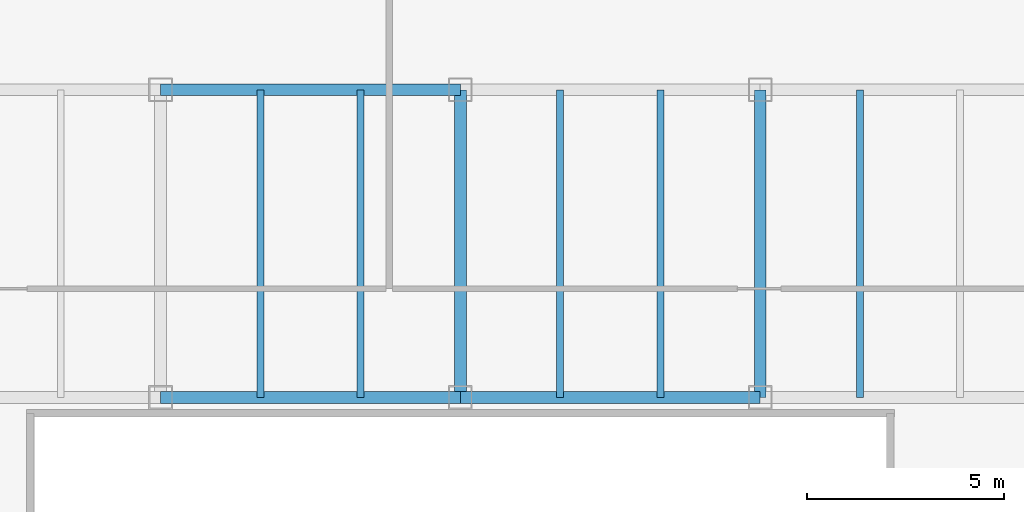
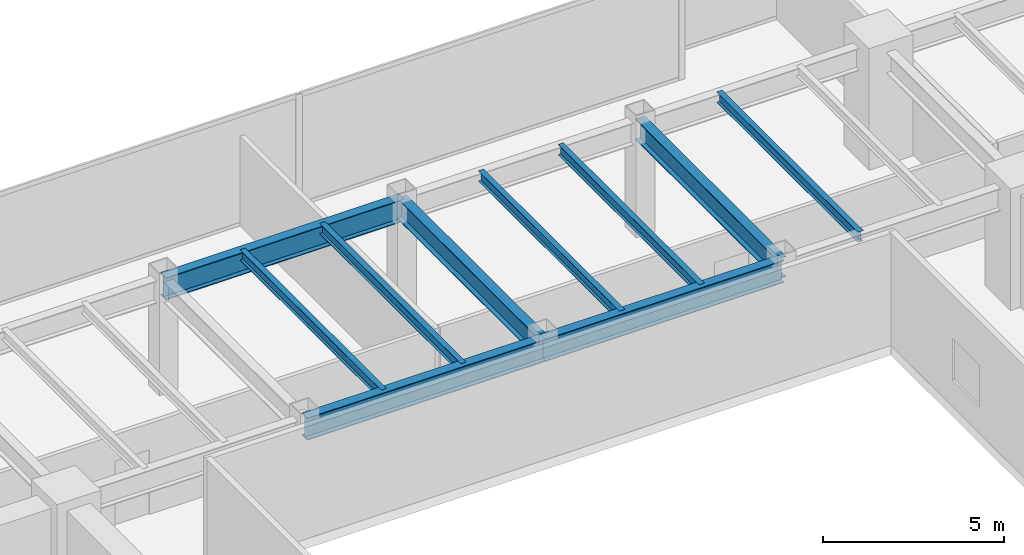
# One storey, part 17 of 35: 10 beams.
"""IFC4 building model written with IfcOpenShell, lengths in metres."""

from ifc_helpers import new_model, si_unit, direction, frame, origin, origin_2d, place, context, subcontext, project, spatial, i_section, extrude, source, transform, mapped, material, material_profile, profile_set, type_object, type_shapes, element, save


model = new_model("IFC4")

# Units and contexts
model_context = context("Model", 3, precision=1e-05, world=origin(), true_north=direction((0.0, 1.0)))
body_context = subcontext(model_context, "Body", "Model", "MODEL_VIEW")
ifc_project = project(units=[si_unit("LENGTHUNIT", "METRE"), si_unit("AREAUNIT", "SQUARE_METRE"), si_unit("VOLUMEUNIT", "CUBIC_METRE"), si_unit("PLANEANGLEUNIT", "RADIAN"), si_unit("MASSUNIT", "GRAM", prefix="KILO")], contexts=[model_context])

# Site, building, storey
site_placement = place(None, origin())
site = spatial("IfcSite", under=ifc_project, at=site_placement, CompositionType="ELEMENT")
building_placement = place(site_placement, origin())
building = spatial("IfcBuilding", under=site, at=building_placement, Name="Haelvirn Gate Laboratories", CompositionType="ELEMENT")
storey_placement = place(building_placement, frame((0.0, 0.0, 58.0)))
storey = spatial("IfcBuildingStorey", under=building, at=storey_placement, Name="L14", CompositionType="ELEMENT", Elevation=58.0)

# Beams
ifc_material = material(Name="Steel SM355", Category="steel")
ifc_material_profile_1 = material_profile(ifc_material, i_section(OverallWidth=0.300048828125, OverallDepth=0.699951171875, WebThickness=0.012939453125, FlangeThickness=0.02392578125, at=origin_2d()), Name="H-700x300x13x24")
ifc_profile_set_1 = profile_set([ifc_material_profile_1], Name="Steel SM355")
beam_type_1 = type_object("IfcBeamType", Name="BM-G-700", PredefinedType="BEAM", material=ifc_profile_set_1)
shared_shape_1 = source(origin(), body_context, "Body", "SweptSolid", [
    extrude(i_section(OverallWidth=0.300048828125, OverallDepth=0.699951171875, WebThickness=0.012939453125, FlangeThickness=0.02392578125, at=origin_2d()), origin(), (0.0, 0.0, 1.0), 7.800048828125),
])
type_shapes(beam_type_1, [shared_shape_1])
for number, where, z_axis, x_axis, name in (
    (1, (37.39990234375, 33.800048828125, 3.429931640625), (0.0, 1.0, 0.0), (-1.0, 0.0, 0.0), "L14 Frame Girder X37.4 (33.8-41.6)"),
    (2, (45.0, 33.800048828125, 3.429931640625), (0.0, 1.0, 0.0), (-1.0, 0.0, 0.0), "L14 Frame Girder X45.0 (33.8-41.6)"),
):
    element("IfcBeam", number, at=place(storey_placement, frame(where, z_axis=z_axis, x_axis=x_axis)), inside=storey, type_object=beam_type_1, Name=name, PredefinedType="BEAM", context=body_context, shape_type="MappedRepresentation", body=[
        mapped(shared_shape_1, transform((0.0, 0.0, 0.0), scale=1.0)),
    ])
ifc_material_profile_2 = material_profile(ifc_material, i_section(OverallWidth=0.300048828125, OverallDepth=0.75, WebThickness=0.013916015625, FlangeThickness=0.02392578125, at=origin_2d()), Name="H-750x300x14x24")
ifc_profile_set_2 = profile_set([ifc_material_profile_2], Name="Steel SM355")
beam_type_2 = type_object("IfcBeamType", Name="BM-G-750", PredefinedType="BEAM", material=ifc_profile_set_2)
shared_shape_2 = source(origin(), body_context, "Body", "SweptSolid", [
    extrude(i_section(OverallWidth=0.300048828125, OverallDepth=0.75, WebThickness=0.013916015625, FlangeThickness=0.02392578125, at=origin_2d()), origin(), (0.0, 0.0, 1.0), 7.60009765625),
])
beam_placement = place(storey_placement, frame((37.39990234375, 33.800048828125, 3.405029296875), z_axis=(1.0, 0.0, 0.0), x_axis=(0.0, 1.0, 0.0)))
element("IfcBeam", 3, at=beam_placement, inside=storey, type_object=beam_type_2, Name="L14 Primary Girder Y33.8 (37.4-45.0)", PredefinedType="BEAM", context=body_context, shape_type="MappedRepresentation", body=[
    mapped(shared_shape_2, transform((0.0, 0.0, 0.0), scale=1.0)),
])
shared_shape_3 = source(origin(), body_context, "Body", "SweptSolid", [
    extrude(i_section(OverallWidth=0.300048828125, OverallDepth=0.75, WebThickness=0.013916015625, FlangeThickness=0.02392578125, at=origin_2d()), origin(), (0.0, 0.0, 1.0), 7.599853515625),
])
type_shapes(beam_type_2, [shared_shape_2, shared_shape_3])
for number, where, z_axis, x_axis, name in (
    (4, (29.800048828125, 33.800048828125, 3.405029296875), (1.0, 0.0, 0.0), (0.0, 1.0, 0.0), "L14 Primary Girder Y33.8 (29.8-37.4)"),
    (5, (29.800048828125, 41.60009765625, 3.405029296875), (1.0, 0.0, 0.0), (0.0, 1.0, 0.0), "L14 Primary Girder Y41.6 (29.8-37.4)"),
):
    element("IfcBeam", number, at=place(storey_placement, frame(where, z_axis=z_axis, x_axis=x_axis)), inside=storey, type_object=beam_type_2, Name=name, PredefinedType="BEAM", context=body_context, shape_type="MappedRepresentation", body=[
        mapped(shared_shape_3, transform((0.0, 0.0, 0.0), scale=1.0)),
    ])
ifc_material_profile_3 = material_profile(ifc_material, i_section(OverallWidth=0.175048828125, OverallDepth=0.35009765625, WebThickness=0.007080078125, FlangeThickness=0.010986328125, at=origin_2d()), Name="H-350x175x7x11")
ifc_profile_set_3 = profile_set([ifc_material_profile_3], Name="Steel SM355")
beam_type_3 = type_object("IfcBeamType", Name="BM-J-350", PredefinedType="JOIST", material=ifc_profile_set_3)
shared_shape_4 = source(origin(), body_context, "Body", "SweptSolid", [
    extrude(i_section(OverallWidth=0.175048828125, OverallDepth=0.35009765625, WebThickness=0.007080078125, FlangeThickness=0.010986328125, at=origin_2d()), origin(), (0.0, 0.0, 1.0), 7.800048828125),
])
type_shapes(beam_type_3, [shared_shape_4])
for number, where, z_axis, x_axis, name in (
    (6, (32.330078125, 33.800048828125, 3.60498046875), (0.0, 1.0, 0.0), (-1.0, 0.0, 0.0), "L14 Composite Lab Joist North X32.33"),
    (7, (34.8701171875, 33.800048828125, 3.60498046875), (0.0, 1.0, 0.0), (-1.0, 0.0, 0.0), "L14 Composite Lab Joist North X34.87"),
    (8, (39.929931640625, 33.800048828125, 3.60498046875), (0.0, 1.0, 0.0), (-1.0, 0.0, 0.0), "L14 Composite Lab Joist North X39.93"),
    (9, (42.469970703125, 33.800048828125, 3.60498046875), (0.0, 1.0, 0.0), (-1.0, 0.0, 0.0), "L14 Composite Lab Joist North X42.47"),
    (10, (47.530029296875, 33.800048828125, 3.60498046875), (0.0, 1.0, 0.0), (-1.0, 0.0, 0.0), "L14 Composite Lab Joist North X47.53"),
):
    element("IfcBeam", number, at=place(storey_placement, frame(where, z_axis=z_axis, x_axis=x_axis)), inside=storey, type_object=beam_type_3, Name=name, PredefinedType="JOIST", context=body_context, shape_type="MappedRepresentation", body=[
        mapped(shared_shape_4, transform((0.0, 0.0, 0.0), scale=1.0)),
    ])

save(model, "model.ifc")
